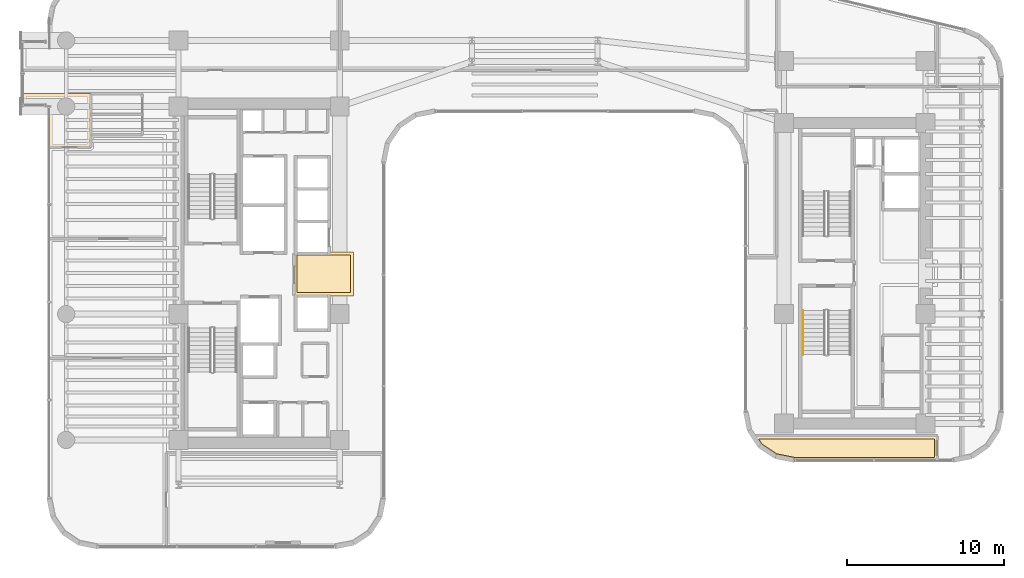
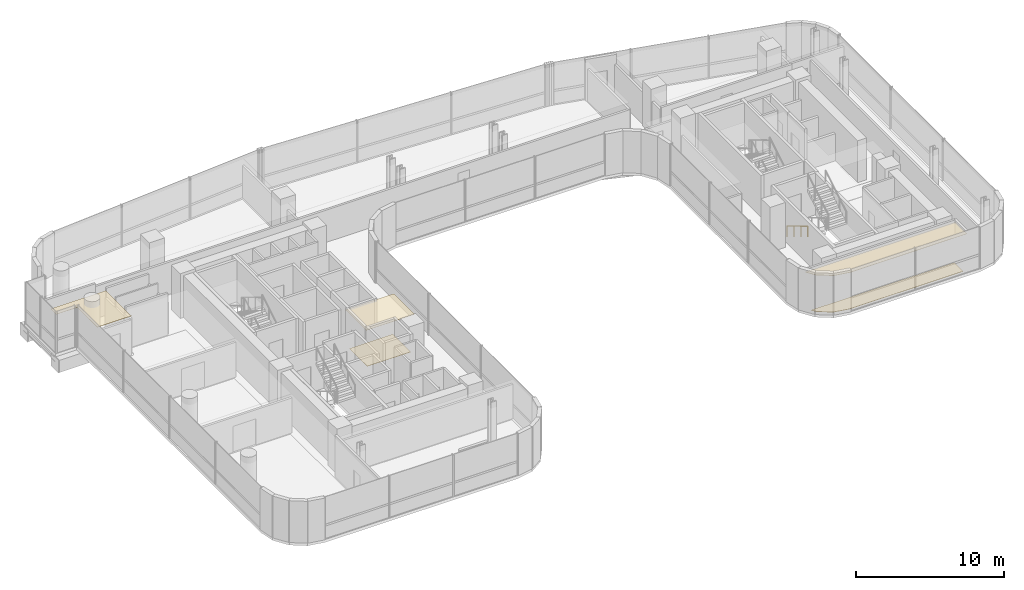
# One storey, part 33 of 35: 5 coverings, 1 railing.
"""IFC4 building model written with IfcOpenShell, lengths in metres."""

from ifc_helpers import new_model, si_unit, direction, frame, origin, origin_2d, place, context, subcontext, project, spatial, polyline, circle, outline, extrude, material, layer, layer_set, type_object, element, save


model = new_model("IFC4")

# Units and contexts
model_context = context("Model", 3, precision=1e-05, world=origin(), true_north=direction((0.0, 1.0)))
body_context = subcontext(model_context, "Body", "Model", "MODEL_VIEW")
ifc_project = project(units=[si_unit("LENGTHUNIT", "METRE"), si_unit("AREAUNIT", "SQUARE_METRE"), si_unit("VOLUMEUNIT", "CUBIC_METRE"), si_unit("PLANEANGLEUNIT", "RADIAN"), si_unit("MASSUNIT", "GRAM", prefix="KILO")], contexts=[model_context])

# Site, building, storey
site_placement = place(None, origin())
site = spatial("IfcSite", under=ifc_project, at=site_placement, CompositionType="ELEMENT")
building_placement = place(site_placement, origin())
building = spatial("IfcBuilding", under=site, at=building_placement, Name="Valdorenza Pilgrim Sanctuary Tower", CompositionType="ELEMENT")
storey_placement = place(building_placement, frame((0.0, 0.0, 124.199951171875)))
storey = spatial("IfcBuildingStorey", under=building, at=storey_placement, Name="L31", CompositionType="ELEMENT", Elevation=124.199951171875)

# Coverings
ifc_material_1 = material(Name="Micro-perforated acoustic mineral ceiling tile", Category="gypsum")
ifc_layer_1 = layer(ifc_material_1, 0.02490234375, Name="Micro-perforated acoustic mineral ceiling tile")
ifc_layer_set_1 = layer_set([ifc_layer_1], Name="Micro-perforated acoustic mineral ceiling tile")
covering_type_1 = type_object("IfcCoveringType", Name="COV-CLG-ACU", PredefinedType="CEILING", material=ifc_layer_set_1)
covering_1_placement = place(storey_placement, frame((0.0, 0.0, 3.16015625)))
element("IfcCovering", 1, at=covering_1_placement, inside=storey, type_object=covering_type_1, Name="L31 Core A Passenger Lift Lobby Acoustic Ceiling", PredefinedType="CEILING", context=body_context, shape_type="SweptSolid", body=[
    extrude(outline(polyline([(-15.31298828125, 1.244384765625), (-15.31298828125, 1.24462890625), (-15.313720703125, 1.24609375), (-15.314208984375, 1.24755859375), (-15.314697265625, 1.2490234375), (-15.31494140625, 1.25048828125), (-15.31494140625, 1.251953125), (-15.31494140625, 1.35009765625), (-15.31494140625, 1.3515625), (-15.314697265625, 1.352783203125), (-15.314453125, 1.3544921875), (-15.31396484375, 1.355712890625), (-15.313232421875, 1.357177734375), (-15.3125, 1.3583984375), (-15.3115234375, 1.359619140625), (-15.310546875, 1.360595703125), (-15.3095703125, 1.361572265625), (-15.308349609375, 1.362548828125), (-15.30712890625, 1.36328125), (-15.3056640625, 1.364013671875), (-15.304443359375, 1.364501953125), (-15.302978515625, 1.36474609375), (-15.301513671875, 1.364990234375), (-15.300048828125, 1.364990234375), (-15.10205078125, 1.364990234375), (-15.1005859375, 1.364990234375), (-15.09912109375, 1.36474609375), (-15.097412109375, 1.3642578125), (-15.09619140625, 1.36376953125), (-15.0947265625, 1.363037109375), (-15.094482421875, 1.363037109375), (-13.185546875, 1.363037109375), (-13.185302734375, 1.363037109375), (-13.183837890625, 1.36376953125), (-13.1826171875, 1.3642578125), (-13.180908203125, 1.36474609375), (-13.179443359375, 1.364990234375), (-13.177978515625, 1.364990234375), (-11.550048828125, 1.364990234375), (-11.548583984375, 1.364990234375), (-11.547119140625, 1.36474609375), (-11.545654296875, 1.364501953125), (-11.544189453125, 1.364013671875), (-11.54296875, 1.36328125), (-11.541748046875, 1.362548828125), (-11.54052734375, 1.361572265625), (-11.539306640625, 1.360595703125), (-11.538330078125, 1.359619140625), (-11.53759765625, 1.3583984375), (-11.536865234375, 1.357177734375), (-11.5361328125, 1.355712890625), (-11.53564453125, 1.3544921875), (-11.535400390625, 1.352783203125), (-11.53515625, 1.3515625), (-11.534912109375, 1.35009765625), (-11.534912109375, -1.419921875), (-11.53515625, -1.42138671875), (-11.535400390625, -1.4228515625), (-11.53564453125, -1.42431640625), (-11.5361328125, -1.42578125), (-11.536865234375, -1.427001953125), (-11.53759765625, -1.42822265625), (-11.538330078125, -1.429443359375), (-11.539306640625, -1.4306640625), (-11.54052734375, -1.431640625), (-11.541748046875, -1.4326171875), (-11.54296875, -1.43310546875), (-11.544189453125, -1.433837890625), (-11.545654296875, -1.434326171875), (-11.547119140625, -1.434814453125), (-11.548583984375, -1.434814453125), (-11.550048828125, -1.43505859375), (-15.298095703125, -1.43505859375), (-15.299560546875, -1.434814453125), (-15.30078125, -1.434814453125), (-15.302490234375, -1.434326171875), (-15.3037109375, -1.433837890625), (-15.30517578125, -1.43310546875), (-15.306396484375, -1.4326171875), (-15.3076171875, -1.431640625), (-15.30859375, -1.4306640625), (-15.3095703125, -1.429443359375), (-15.310546875, -1.42822265625), (-15.311279296875, -1.427001953125), (-15.31201171875, -1.42578125), (-15.3125, -1.42431640625), (-15.312744140625, -1.4228515625), (-15.31298828125, -1.42138671875), (-15.31298828125, -1.419921875), (-15.31298828125, 1.244384765625)])), origin(), (0.0, 0.0, 1.0), 0.02490234375),
])
covering_2_placement = place(storey_placement, frame((0.0, 0.0, 3.16015625)))
element("IfcCovering", 2, at=covering_2_placement, inside=storey, type_object=covering_type_1, Name="L31 North Contemplation Lounge L31 Acoustic Ceiling", PredefinedType="CEILING", context=body_context, shape_type="SweptSolid", body=[
    extrude(outline(polyline([(-28.237060546875, 8.805419921875), (-28.23681640625, 8.805419921875), (-28.236083984375, 8.803955078125), (-28.235595703125, 8.802490234375), (-28.2353515625, 8.801025390625), (-28.235107421875, 8.799560546875), (-28.235107421875, 8.798095703125), (-28.235107421875, 8.0), (-28.235107421875, 7.99853515625), (-28.2353515625, 7.9970703125), (-28.235595703125, 7.99560546875), (-28.236083984375, 7.994384765625), (-28.23681640625, 7.992919921875), (-28.237548828125, 7.99169921875), (-28.23828125, 7.990478515625), (-28.239501953125, 7.989501953125), (-28.240478515625, 7.98828125), (-28.24169921875, 7.987548828125), (-28.242919921875, 7.98681640625), (-28.244384765625, 7.986083984375), (-28.24560546875, 7.985595703125), (-28.2470703125, 7.9853515625), (-28.24853515625, 7.985107421875), (-28.25, 7.985107421875), (-30.889892578125, 7.985107421875), (-30.8916015625, 7.985107421875), (-30.892822265625, 7.9853515625), (-30.894287109375, 7.985595703125), (-30.895751953125, 7.986083984375), (-30.897216796875, 7.98681640625), (-30.898193359375, 7.987548828125), (-30.8994140625, 7.98828125), (-30.900634765625, 7.989501953125), (-30.901611328125, 7.990478515625), (-30.902587890625, 7.99169921875), (-30.9033203125, 7.992919921875), (-30.90380859375, 7.994384765625), (-30.904296875, 7.99560546875), (-30.90478515625, 7.9970703125), (-30.90478515625, 7.99853515625), (-30.905029296875, 8.0), (-30.905029296875, 10.599609375), (-30.905517578125, 10.609375), (-30.90673828125, 10.618408203125), (-30.9091796875, 10.627685546875), (-30.912109375, 10.63623046875), (-30.916259765625, 10.644775390625), (-30.9208984375, 10.65283203125), (-30.926513671875, 10.660400390625), (-30.932861328125, 10.667236328125), (-30.939697265625, 10.67333984375), (-30.947265625, 10.678955078125), (-30.955078125, 10.683837890625), (-30.963623046875, 10.687744140625), (-30.972412109375, 10.69091796875), (-30.9814453125, 10.693115234375), (-30.99072265625, 10.694580078125), (-31.00048828125, 10.695068359375), (-32.5400390625, 10.695068359375), (-32.54150390625, 10.695068359375), (-32.54296875, 10.6953125), (-32.54443359375, 10.695556640625), (-32.545654296875, 10.696044921875), (-32.547119140625, 10.69677734375), (-32.54833984375, 10.697509765625), (-32.549560546875, 10.698486328125), (-32.550537109375, 10.699462890625), (-32.551513671875, 10.700439453125), (-32.552490234375, 10.70166015625), (-32.55322265625, 10.702880859375), (-32.553955078125, 10.704345703125), (-32.554443359375, 10.70556640625), (-32.5546875, 10.70703125), (-32.554931640625, 10.70849609375), (-32.554931640625, 10.7099609375), (-32.554931640625, 11.419921875), (-32.554931640625, 11.42138671875), (-32.5546875, 11.4228515625), (-32.554443359375, 11.42431640625), (-32.553955078125, 11.42578125), (-32.55322265625, 11.427001953125), (-32.552490234375, 11.42822265625), (-32.551513671875, 11.429443359375), (-32.550537109375, 11.4306640625), (-32.549560546875, 11.431640625), (-32.54833984375, 11.4326171875), (-32.547119140625, 11.43310546875), (-32.545654296875, 11.433837890625), (-32.54443359375, 11.434326171875), (-32.54296875, 11.434814453125), (-32.54150390625, 11.434814453125), (-32.5400390625, 11.43505859375), (-28.25, 11.43505859375), (-28.24853515625, 11.434814453125), (-28.2470703125, 11.434814453125), (-28.24560546875, 11.434326171875), (-28.244384765625, 11.433837890625), (-28.242919921875, 11.43310546875), (-28.24169921875, 11.4326171875), (-28.240478515625, 11.431640625), (-28.239501953125, 11.4306640625), (-28.23828125, 11.429443359375), (-28.237548828125, 11.42822265625), (-28.23681640625, 11.427001953125), (-28.236083984375, 11.42578125), (-28.235595703125, 11.42431640625), (-28.2353515625, 11.4228515625), (-28.235107421875, 11.42138671875), (-28.235107421875, 11.419921875), (-28.235107421875, 11.402099609375), (-28.235107421875, 11.400390625), (-28.2353515625, 11.39892578125), (-28.235595703125, 11.3974609375), (-28.236083984375, 11.39599609375), (-28.23681640625, 11.394775390625), (-28.237060546875, 11.39453125), (-28.237060546875, 10.103759765625), (-28.23681640625, 10.10302734375), (-28.23681640625, 10.1015625), (-28.23681640625, 10.10009765625), (-28.23681640625, 10.098388671875), (-28.237060546875, 10.09814453125), (-28.237060546875, 8.805419921875)])), origin(), (0.0, 0.0, 1.0), 0.02490234375),
])
covering_3_placement = place(storey_placement, frame((0.0, 0.0, 3.16015625)))
element("IfcCovering", 3, at=covering_3_placement, inside=storey, type_object=covering_type_1, Name="L31 Sacred Manuscript Archive L31-BS Acoustic Ceiling", PredefinedType="CEILING", context=body_context, shape_type="SweptSolid", body=[
    extrude(outline(polyline([(25.614990234375, -11.889892578125), (25.614990234375, -11.8916015625), (25.61474609375, -11.892822265625), (25.614501953125, -11.894287109375), (25.614013671875, -11.895751953125), (25.61328125, -11.897216796875), (25.612548828125, -11.898193359375), (25.611572265625, -11.8994140625), (25.610595703125, -11.900634765625), (25.609619140625, -11.901611328125), (25.6083984375, -11.902587890625), (25.607177734375, -11.9033203125), (25.605712890625, -11.90380859375), (25.6044921875, -11.904296875), (25.602783203125, -11.90478515625), (25.6015625, -11.90478515625), (25.60009765625, -11.905029296875), (16.5107421875, -11.905029296875), (16.509521484375, -11.90478515625), (16.5078125, -11.90478515625), (15.3154296875, -11.66748046875), (15.31396484375, -11.6669921875), (15.3125, -11.66650390625), (15.311279296875, -11.666015625), (15.31005859375, -11.665283203125), (14.308349609375, -10.995849609375), (14.30712890625, -10.9951171875), (14.305908203125, -10.993896484375), (14.304931640625, -10.992919921875), (14.30419921875, -10.99169921875), (13.880859375, -10.3583984375), (13.880126953125, -10.357177734375), (13.87939453125, -10.355712890625), (13.87890625, -10.3544921875), (13.878662109375, -10.352783203125), (13.87841796875, -10.3515625), (13.87841796875, -10.35009765625), (13.87841796875, -10.348388671875), (13.878662109375, -10.34716796875), (13.87890625, -10.345703125), (13.87939453125, -10.34423828125), (13.880126953125, -10.343017578125), (13.880859375, -10.341796875), (13.881591796875, -10.340576171875), (13.8828125, -10.33935546875), (13.8837890625, -10.33837890625), (13.885009765625, -10.33740234375), (13.88623046875, -10.3369140625), (13.8876953125, -10.336181640625), (13.888916015625, -10.335693359375), (13.890380859375, -10.335205078125), (13.891845703125, -10.335205078125), (13.893310546875, -10.3349609375), (25.60009765625, -10.3349609375), (25.6015625, -10.335205078125), (25.602783203125, -10.335205078125), (25.6044921875, -10.335693359375), (25.605712890625, -10.336181640625), (25.607177734375, -10.3369140625), (25.6083984375, -10.33740234375), (25.609619140625, -10.33837890625), (25.610595703125, -10.33935546875), (25.611572265625, -10.340576171875), (25.612548828125, -10.341796875), (25.61328125, -10.343017578125), (25.614013671875, -10.34423828125), (25.614501953125, -10.345703125), (25.61474609375, -10.34716796875), (25.614990234375, -10.348388671875), (25.614990234375, -10.35009765625), (25.614990234375, -11.889892578125)])), origin(), (0.0, 0.0, 1.0), 0.02490234375),
])
ifc_material_2 = material(Name="Honed travertine stone flooring", Category="masonry")
ifc_layer_2 = layer(ifc_material_2, 0.030029296875, Name="Honed travertine stone flooring")
ifc_layer_set_2 = layer_set([ifc_layer_2], Name="Honed travertine stone flooring")
covering_type_2 = type_object("IfcCoveringType", Name="COV-FLR-TRV", PredefinedType="FLOORING", material=ifc_layer_set_2)
covering_4_placement = place(storey_placement, origin())
element("IfcCovering", 4, at=covering_4_placement, inside=storey, type_object=covering_type_2, Name="L31 Core A Passenger Lift Lobby Flooring", PredefinedType="FLOORING", context=body_context, shape_type="SweptSolid", body=[
    extrude(outline(polyline([(-15.117919921875, 1.169189453125), (-15.10888671875, 1.168212890625), (-15.10888671875, 1.168212890625), (-15.10009765625, 1.16796875), (-13.179931640625, 1.16796875), (-13.1796875, 1.16796875), (-11.72998046875, 1.169921875), (-11.72998046875, -1.239990234375), (-15.117919921875, -1.239990234375), (-15.117919921875, 1.169189453125)])), origin(), (0.0, 0.0, 1.0), 0.025146484375),
])
covering_5_placement = place(storey_placement, origin())
element("IfcCovering", 5, at=covering_5_placement, inside=storey, type_object=covering_type_2, Name="L31 Sacred Manuscript Archive L31-BS Flooring", PredefinedType="FLOORING", context=body_context, shape_type="SweptSolid", body=[
    extrude(outline(polyline([(25.419921875, -11.7099609375), (16.528564453125, -11.7099609375), (15.388671875, -11.483154296875), (14.4462890625, -10.853515625), (14.22998046875, -10.530029296875), (25.419921875, -10.530029296875), (25.419921875, -11.7099609375)])), origin(), (0.0, 0.0, 1.0), 0.025146484375),
])

# Railing
ifc_material_3 = material(Name="Brushed stainless steel Grade 316", Category="steel")
railing_type = type_object("IfcRailingType", Name="RLG-HND-920", PredefinedType="HANDRAIL", material=ifc_material_3)
railing_placement = place(storey_placement, frame((17.050048828125, -2.3798828125, 0.168212890625)))
element("IfcRailing", 6, at=railing_placement, inside=storey, type_object=railing_type, Name="L31 ST-B2 stair handrail 1", PredefinedType="HANDRAIL", context=body_context, shape_type="SweptSolid", body=[
    extrude(circle(Radius=0.02392578125, at=origin_2d()), frame((0.0, 0.0, 0.8759765625), z_axis=(0.0, -0.857242210791, 0.514913383045), x_axis=(1.0, 0.0, 0.0)), (0.0, 0.0, 1.0), 3.266357421875),
    extrude(circle(Radius=0.02099609375, at=origin_2d()), origin(), (0.0, 0.0, 1.0), 0.851806640625),
    extrude(circle(Radius=0.02099609375, at=origin_2d()), frame((0.0, -0.933349609375, 0.560546875)), (0.0, 0.0, 1.0), 0.851806640625),
    extrude(circle(Radius=0.02099609375, at=origin_2d()), frame((0.0, -1.86669921875, 1.121337890625)), (0.0, 0.0, 1.0), 0.851806640625),
    extrude(circle(Radius=0.02099609375, at=origin_2d()), frame((0.0, -2.800048828125, 1.681884765625)), (0.0, 0.0, 1.0), 0.851806640625),
])

save(model, "model.ifc")
